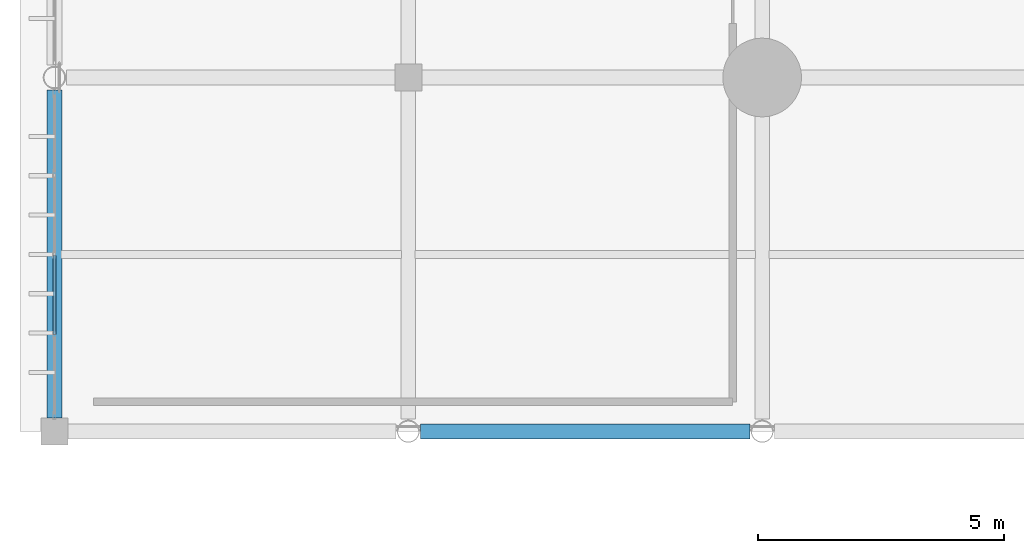
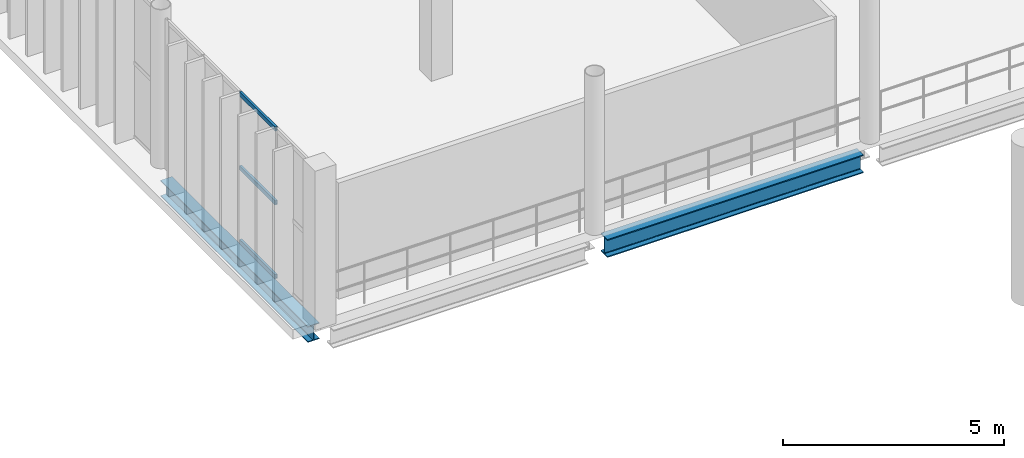
# One storey, part 14 of 81: 3 members, 2 beams, 1 element without a shape of its own.
"""IFC4 building model written with IfcOpenShell, lengths in metres."""

import ifcopenshell
import ifcopenshell.guid

model = None  # the IFC model being written
_history = None  # IfcOwnerHistory: only IFC2X3 demands one
_inside = {}  # id of a spatial element -> (the spatial element, [elements in it])
_under = {}  # id of a project, library or spatial element -> (it, [spatial elements below it])
_declared = {}  # id of a project -> (the project, [libraries it declares])
_typed = {}  # id of a type object -> (the type object, [elements of that type])
_made_of = {}  # id of a material, layer set ... -> (it, [elements and type objects made of it])


def new_model(schema):
    """Start an empty IFC model of exactly this schema.

    Asked for "IFC4X3", IfcOpenShell would pick the latest addendum, in which some entities
    have other attributes; the version numbers below select the first issue.
    IFC2X3 requires an IfcOwnerHistory on every rooted entity: one is made here for all.
    """
    global model, _history
    if schema == "IFC4X3":
        model = ifcopenshell.file(schema_version=(4, 3, 0, 0))
    else:
        model = ifcopenshell.file(schema=schema)
    _inside.clear()
    _under.clear()
    _declared.clear()
    _typed.clear()
    _made_of.clear()
    _history = None
    if model.schema == "IFC2X3":
        org = make("IfcOrganization", Name="unknown")
        user = make(
            "IfcPersonAndOrganization",
            ThePerson=make("IfcPerson", FamilyName="unknown"),
            TheOrganization=org,
        )
        app = make(
            "IfcApplication",
            ApplicationDeveloper=org,
            Version="unknown",
            ApplicationFullName="unknown",
            ApplicationIdentifier="unknown",
        )
        _history = make(
            "IfcOwnerHistory",
            OwningUser=user,
            OwningApplication=app,
            ChangeAction="ADDED",
            CreationDate=0,
        )
    return model


def make(cls, **values):
    """One entity of the class cls with the attributes given. An attribute that is None is left unset."""
    return model.create_entity(
        cls, **{name: value for name, value in values.items() if value is not None}
    )


def rooted(cls, **values):
    """An entity with a GlobalId (a new one), such as an element, a storey or a relation."""
    return make(cls, GlobalId=ifcopenshell.guid.new(), OwnerHistory=_history, **values)


def si_unit(unit_type, name, prefix=None):
    """IfcSIUnit, for example si_unit("LENGTHUNIT", "METRE", prefix="MILLI")."""
    return make("IfcSIUnit", UnitType=unit_type, Prefix=prefix, Name=name)


def assignment(units):
    """IfcUnitAssignment: the units of a project."""
    return None if units is None else make("IfcUnitAssignment", Units=units)


def point(xyz):
    """IfcCartesianPoint."""
    return None if xyz is None else make("IfcCartesianPoint", Coordinates=xyz)


def direction(xyz):
    """IfcDirection."""
    return None if xyz is None else make("IfcDirection", DirectionRatios=xyz)


def frame(location, z_axis=None, x_axis=None):
    """IfcAxis2Placement3D, a coordinate frame: its origin and axes. An axis left out is left unset."""
    return make(
        "IfcAxis2Placement3D",
        Location=point(location),
        Axis=direction(z_axis),
        RefDirection=direction(x_axis),
    )


def frame_2d(location, x_axis=None):
    """IfcAxis2Placement2D, a coordinate frame in the plane: its origin and x axis."""
    return make(
        "IfcAxis2Placement2D", Location=point(location), RefDirection=direction(x_axis)
    )


def origin():
    """The frame at (0, 0, 0) with its axes left unset."""
    return frame((0.0, 0.0, 0.0))


def origin_2d():
    """The frame at (0, 0) in the plane with its x axis left unset."""
    return frame_2d((0.0, 0.0))


def place(relative_to, where):
    """IfcLocalPlacement: puts the frame where relative to a parent placement (None: the world)."""
    return make(
        "IfcLocalPlacement", PlacementRelTo=relative_to, RelativePlacement=where
    )


def context(
    kind, dimensions, precision=None, world=None, true_north=None, identifier=None
):
    """IfcGeometricRepresentationContext, for example the 3D "Model" context."""
    return make(
        "IfcGeometricRepresentationContext",
        ContextIdentifier=identifier,
        ContextType=kind,
        CoordinateSpaceDimension=dimensions,
        Precision=precision,
        WorldCoordinateSystem=world,
        TrueNorth=true_north,
    )


def subcontext(parent, identifier, kind, view, scale=None):
    """IfcGeometricRepresentationSubContext, for example "Body" below "Model"."""
    return make(
        "IfcGeometricRepresentationSubContext",
        ContextIdentifier=identifier,
        ContextType=kind,
        ParentContext=parent,
        TargetScale=scale,
        TargetView=view,
    )


def project(units=None, contexts=None):
    """IfcProject with its units and contexts."""
    return rooted(
        "IfcProject",
        Name="project",
        RepresentationContexts=contexts,
        UnitsInContext=assignment(units),
    )


def spatial(cls, under=None, at=None, **own):
    """A site, building, storey or space (cls), placed at a placement, below another one or the project."""
    s = rooted(cls, ObjectPlacement=at, **own)
    if under is not None:
        _under.setdefault(under.id(), (under, []))[1].append(s)
    return s


def profile(cls, at=None, kind="AREA", **sizes):
    """A parametric profile (cls). Its sizes go by their IFC names, for example OverallWidth=200.0."""
    return make(cls, ProfileType=kind, Position=at, **sizes)


def hollow_rectangle(**sizes):
    """IfcRectangleHollowProfileDef."""
    return profile("IfcRectangleHollowProfileDef", **sizes)


def i_section(**sizes):
    """IfcIShapeProfileDef."""
    return profile("IfcIShapeProfileDef", **sizes)


def extrude(swept, where, along, depth):
    """IfcExtrudedAreaSolid: the profile swept, set in the frame where, extruded along a direction by depth."""
    return make(
        "IfcExtrudedAreaSolid",
        SweptArea=swept,
        Position=where,
        ExtrudedDirection=direction(along),
        Depth=depth,
    )


def shape(context_of_items, identifier, shape_type, items):
    """IfcShapeRepresentation: the items that make up one representation, for example the "Body"."""
    return make(
        "IfcShapeRepresentation",
        ContextOfItems=context_of_items,
        RepresentationIdentifier=identifier,
        RepresentationType=shape_type,
        Items=items,
    )


def material(Name=None, Category=None):
    """IfcMaterial."""
    return make("IfcMaterial", Name=Name, Category=Category)


def material_profile(
    of_material, cross_section, Name=None, Category=None, Priority=None
):
    """IfcMaterialProfile: a cross section and its material."""
    return make(
        "IfcMaterialProfile",
        Name=Name,
        Material=of_material,
        Profile=cross_section,
        Priority=Priority,
        Category=Category,
    )


def profile_set(profiles, Name=None, composite=None):
    """IfcMaterialProfileSet."""
    return make(
        "IfcMaterialProfileSet",
        Name=Name,
        MaterialProfiles=profiles,
        CompositeProfile=composite,
    )


def made_of(thing, what):
    """Note that an element or type object is made of a material, layer set ...; save() writes the relation."""
    if what is not None:
        _made_of.setdefault(what.id(), (what, []))[1].append(thing)
    return thing


def type_object(cls, material=None, **own):
    """A type object (cls), such as IfcWallType, which elements share."""
    return made_of(rooted(cls, **own), material)


def element(
    cls,
    number,
    at=None,
    inside=None,
    cuts=None,
    type_object=None,
    material=None,
    context=None,
    identifier="Body",
    shape_type=None,
    held_by="IfcProductDefinitionShape",
    body=None,
    shapes=None,
    **own,
):
    """One element of the class cls, such as IfcWall. Its Tag is "e" and its number.

    at: its placement. inside: the storey or other place that contains it. cuts: it is an
    opening in that element (IfcRelVoidsElement). A single representation is given by context,
    identifier, shape_type and body (its items); several are given by shapes. held_by: the class
    of the entity that holds the representations. save() writes the other relations.
    """
    e = rooted(cls, Tag="e%d" % number, ObjectPlacement=at, **own)
    if body is not None:
        shapes = [shape(context, identifier, shape_type, body)]
    if shapes is not None:
        e.Representation = make(held_by, Representations=shapes)
    if inside is not None:
        _inside.setdefault(inside.id(), (inside, []))[1].append(e)
    if cuts is not None:
        rooted(
            "IfcRelVoidsElement", RelatingBuildingElement=cuts, RelatedOpeningElement=e
        )
    if type_object is not None:
        _typed.setdefault(type_object.id(), (type_object, []))[1].append(e)
    return made_of(e, material)


def aggregate(whole, parts):
    """IfcRelAggregates: a whole, such as a stair, and the parts it consists of."""
    return rooted("IfcRelAggregates", RelatingObject=whole, RelatedObjects=parts)


def save(model, path):
    """Write the relations noted so far, then the file.

    IfcRelAggregates (storeys below a building ...), IfcRelContainedInSpatialStructure (elements
    in a storey), IfcRelDefinesByType, IfcRelAssociatesMaterial and IfcRelDeclares: one each for
    every whole, place, type object, material and project.
    """
    for whole, parts in _under.values():
        aggregate(whole, parts)
    for where, things in _inside.values():
        rooted(
            "IfcRelContainedInSpatialStructure",
            RelatedElements=things,
            RelatingStructure=where,
        )
    for kind, things in _typed.values():
        rooted("IfcRelDefinesByType", RelatedObjects=things, RelatingType=kind)
    for what, things in _made_of.values():
        rooted("IfcRelAssociatesMaterial", RelatedObjects=things, RelatingMaterial=what)
    for by, libraries in _declared.values():
        rooted("IfcRelDeclares", RelatingContext=by, RelatedDefinitions=libraries)
    model.write(path)


model = new_model("IFC4")

# Units and contexts
model_context = context("Model", 3, precision=1e-05, world=origin(), true_north=direction((0.0, 1.0)))
body_context = subcontext(model_context, "Body", "Model", "MODEL_VIEW")
ifc_project = project(units=[si_unit("LENGTHUNIT", "METRE"), si_unit("AREAUNIT", "SQUARE_METRE"), si_unit("VOLUMEUNIT", "CUBIC_METRE"), si_unit("PLANEANGLEUNIT", "RADIAN"), si_unit("MASSUNIT", "GRAM", prefix="KILO")], contexts=[model_context])

# Site, building, storey
site_placement = place(None, origin())
site = spatial("IfcSite", under=ifc_project, at=site_placement, CompositionType="ELEMENT")
building_placement = place(site_placement, origin())
building = spatial("IfcBuilding", under=site, at=building_placement, Name="Qandorah Velis Arena", CompositionType="ELEMENT")
storey_placement = place(building_placement, frame((0.0, 0.0, 18.60009765625)))
storey = spatial("IfcBuildingStorey", under=building, at=storey_placement, Name="L04", CompositionType="ELEMENT", Elevation=18.60009765625)

# Curtain wall, members
ifc_material_1 = material(Name="Solar-control low-E double glazing", Category="glass")
curtain_wall_type = type_object("IfcCurtainWallType", Name="ARC-CW-SYS07", PredefinedType="USERDEFINED", material=ifc_material_1)
curtain_wall_placement = place(storey_placement, origin())
curtain_wall = element("IfcCurtainWall", 1, at=curtain_wall_placement, inside=storey, type_object=curtain_wall_type, Name="Unitised curtain wall L04-031", ObjectType="UNITISED CURTAIN WALL", PredefinedType="USERDEFINED")
ifc_material_2 = material(Name="Champagne-bronze anodized aluminium 6063-T6", Category="aluminium")
ifc_material_profile_1 = material_profile(ifc_material_2, hollow_rectangle(XDim=0.06005859375, YDim=0.1201171875, WallThickness=0.0029296875, at=origin_2d()), Name="ALU TRANSOM 60x120")
ifc_profile_set_1 = profile_set([ifc_material_profile_1], Name="Champagne-bronze anodized aluminium 6063-T6")
member_type = type_object("IfcMemberType", Name="ARC-CWT-120", PredefinedType="USERDEFINED", material=ifc_profile_set_1)
member_1_placement = place(storey_placement, frame((0.0, 23.568115234375, 0.02978515625), z_axis=(0.0, 1.0, 0.0), x_axis=(-1.0, 0.0, 0.0)))
member_1 = element("IfcMember", 2, at=member_1_placement, type_object=member_type, Name="CW07 transom 2.1", ObjectType="TRANSOM", PredefinedType="USERDEFINED", context=body_context, shape_type="SweptSolid", body=[
    extrude(hollow_rectangle(XDim=0.06005859375, YDim=0.1201171875, WallThickness=0.0029296875, at=origin_2d()), origin(), (0.0, 0.0, 1.0), 1.61376953125),
])
member_2_placement = place(storey_placement, frame((0.0, 23.568115234375, 2.074951171875), z_axis=(0.0, 1.0, 0.0), x_axis=(-1.0, 0.0, 0.0)))
member_2 = element("IfcMember", 3, at=member_2_placement, type_object=member_type, Name="CW07 transom 2.2", ObjectType="TRANSOM", PredefinedType="USERDEFINED", context=body_context, shape_type="SweptSolid", body=[
    extrude(hollow_rectangle(XDim=0.06005859375, YDim=0.1201171875, WallThickness=0.0029296875, at=origin_2d()), origin(), (0.0, 0.0, 1.0), 1.61376953125),
])
member_3_placement = place(storey_placement, frame((0.0, 23.568115234375, 4.119873046875), z_axis=(0.0, 1.0, 0.0), x_axis=(-1.0, 0.0, 0.0)))
member_3 = element("IfcMember", 4, at=member_3_placement, type_object=member_type, Name="CW07 transom 2.3", ObjectType="TRANSOM", PredefinedType="USERDEFINED", context=body_context, shape_type="SweptSolid", body=[
    extrude(hollow_rectangle(XDim=0.06005859375, YDim=0.1201171875, WallThickness=0.0029296875, at=origin_2d()), origin(), (0.0, 0.0, 1.0), 1.61376953125),
])
aggregate(curtain_wall, [member_1, member_2, member_3])

# Beams
ifc_material_3 = material(Name="Steel S355", Category="steel")
ifc_material_profile_2 = material_profile(ifc_material_3, i_section(OverallWidth=0.300048828125, OverallDepth=0.449951171875, WebThickness=0.013916015625, FlangeThickness=0.02587890625, FilletRadius=0.027099609375, at=origin_2d()), Name="HEB 450")
ifc_profile_set_2 = profile_set([ifc_material_profile_2], Name="Steel S355")
beam_type_1 = type_object("IfcBeamType", Name="STR-BM-HEB450", PredefinedType="BEAM", material=ifc_profile_set_2)
beam_1_placement = place(storey_placement, frame((0.0, 21.875, -0.4951171875), z_axis=(0.0, 1.0, 0.0), x_axis=(-1.0, 0.0, 0.0)))
element("IfcBeam", 5, at=beam_1_placement, inside=storey, type_object=beam_type_1, Name="Primary floor girder L04 Y-146", PredefinedType="BEAM", context=body_context, shape_type="SweptSolid", body=[
    extrude(i_section(OverallWidth=0.300048828125, OverallDepth=0.449951171875, WebThickness=0.013916015625, FlangeThickness=0.02587890625, FilletRadius=0.027099609375, at=origin_2d()), origin(), (0.0, 0.0, 1.0), 6.675048828125),
])
ifc_material_profile_3 = material_profile(ifc_material_3, i_section(OverallWidth=0.300048828125, OverallDepth=0.5, WebThickness=0.014404296875, FlangeThickness=0.028076171875, FilletRadius=0.027099609375, at=origin_2d()), Name="HEB 500")
ifc_profile_set_3 = profile_set([ifc_material_profile_3], Name="Steel S355")
beam_type_2 = type_object("IfcBeamType", Name="STR-BM-HEB500", PredefinedType="BEAM", material=ifc_profile_set_3)
beam_2_placement = place(storey_placement, frame((7.449951171875, 21.60009765625, -0.52001953125), z_axis=(1.0, 0.0, 0.0), x_axis=(0.0, 1.0, 0.0)))
element("IfcBeam", 6, at=beam_2_placement, inside=storey, type_object=beam_type_2, Name="Primary floor girder L04 X-035", PredefinedType="BEAM", context=body_context, shape_type="SweptSolid", body=[
    extrude(i_section(OverallWidth=0.300048828125, OverallDepth=0.5, WebThickness=0.014404296875, FlangeThickness=0.028076171875, FilletRadius=0.027099609375, at=origin_2d()), origin(), (0.0, 0.0, 1.0), 6.699951171875),
])

save(model, "model.ifc")
